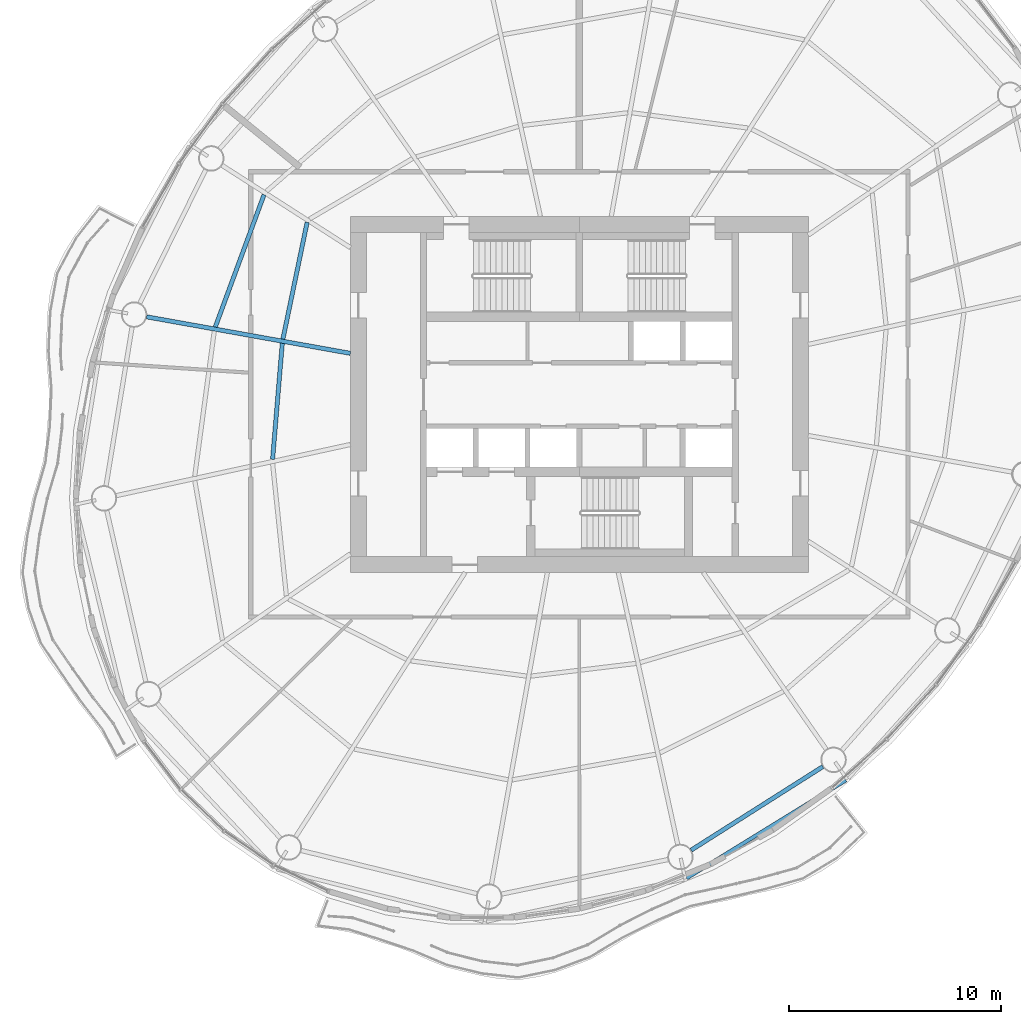
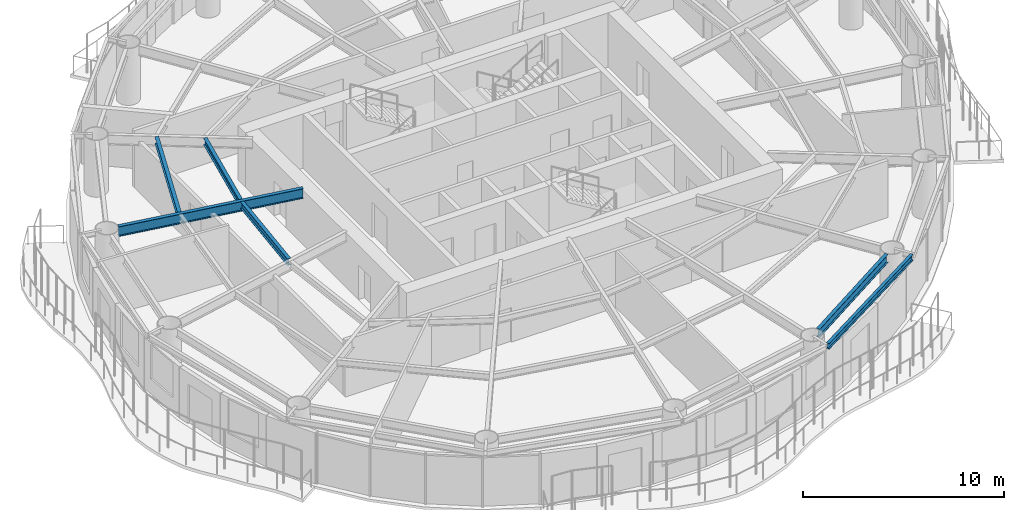
# One storey, part 3 of 14: 6 beams.
"""IFC4 building model written with IfcOpenShell, lengths in metres."""

from ifc_helpers import new_model, si_unit, direction, frame, origin, origin_2d, place, context, subcontext, project, spatial, i_section, extrude, material, material_profile, profile_set, type_object, element, save


model = new_model("IFC4")

# Units and contexts
model_context = context("Model", 3, precision=1e-05, world=origin(), true_north=direction((0.0, 1.0)))
body_context = subcontext(model_context, "Body", "Model", "MODEL_VIEW")
ifc_project = project(units=[si_unit("LENGTHUNIT", "METRE"), si_unit("AREAUNIT", "SQUARE_METRE"), si_unit("VOLUMEUNIT", "CUBIC_METRE"), si_unit("PLANEANGLEUNIT", "RADIAN"), si_unit("MASSUNIT", "GRAM", prefix="KILO")], contexts=[model_context])

# Site, building, storey
site_placement = place(None, origin())
site = spatial("IfcSite", under=ifc_project, at=site_placement, CompositionType="ELEMENT")
building_placement = place(site_placement, origin())
building = spatial("IfcBuilding", under=site, at=building_placement, Name="Vermilion Reach Broadcast Tower", CompositionType="ELEMENT")
storey_placement = place(building_placement, frame((0.0, 0.0, 235.300048828125)))
storey = spatial("IfcBuildingStorey", under=building, at=storey_placement, Name="L58", CompositionType="ELEMENT", Elevation=235.300048828125)

# Beams
ifc_material_1 = material(Name="Steel S355J2", Category="steel")
ifc_material_profile_1 = material_profile(ifc_material_1, i_section(OverallWidth=0.175048828125, OverallDepth=0.35009765625, WebThickness=0.007080078125, FlangeThickness=0.010986328125, at=origin_2d()), Name="S355J2 HN 350x175x7x11")
ifc_profile_set_1 = profile_set([ifc_material_profile_1], Name="Steel S355J2")
beam_type_1 = type_object("IfcBeamType", Name="EB4 HN 350x175x7x11", PredefinedType="BEAM", material=ifc_profile_set_1)
beam_1_placement = place(storey_placement, frame((-0.935302734375, -22.81982421875, 3.27490234375), z_axis=(0.851691598199, 0.524043339388, 0.0), x_axis=(-0.524043339388, 0.851691598199, 0.0)))
element("IfcBeam", 1, at=beam_1_placement, inside=storey, type_object=beam_type_1, Name="Edge beam EB4-11", PredefinedType="BEAM", context=body_context, shape_type="SweptSolid", body=[
    extrude(i_section(OverallWidth=0.175048828125, OverallDepth=0.35009765625, WebThickness=0.007080078125, FlangeThickness=0.010986328125, at=origin_2d()), origin(), (0.0, 0.0, 1.0), 8.81494140625),
])
ifc_material_2 = material(Name="Steel S355J2", Category="steel")
ifc_material_profile_2 = material_profile(ifc_material_2, i_section(OverallWidth=0.199951171875, OverallDepth=0.60009765625, WebThickness=0.010986328125, FlangeThickness=0.01708984375, at=origin_2d()), Name="S355J2 HN 600x200x11x17")
ifc_profile_set_2 = profile_set([ifc_material_profile_2], Name="Steel S355J2")
beam_type_2 = type_object("IfcBeamType", Name="G4 HN 600x200x11x17", PredefinedType="BEAM", material=ifc_profile_set_2)
beam_2_placement = place(storey_placement, frame((-16.800048828125, 1.9375, 3.14990234375), z_axis=(-0.984291153273, 0.176552897422, 0.0), x_axis=(-0.176552897422, -0.984291153273, 0.0)))
element("IfcBeam", 2, at=beam_2_placement, inside=storey, type_object=beam_type_2, Name="Girder G4-06", PredefinedType="BEAM", context=body_context, shape_type="SweptSolid", body=[
    extrude(i_section(OverallWidth=0.199951171875, OverallDepth=0.60009765625, WebThickness=0.010986328125, FlangeThickness=0.01708984375, at=origin_2d()), origin(), (0.0, 0.0, 1.0), 9.765380859375),
])
ifc_material_3 = material(Name="Steel S355J2", Category="steel")
ifc_material_profile_3 = material_profile(ifc_material_3, i_section(OverallWidth=0.199951171875, OverallDepth=0.5, WebThickness=0.010009765625, FlangeThickness=0.01611328125, at=origin_2d()), Name="S355J2 HN 500x200x10x16")
ifc_profile_set_3 = profile_set([ifc_material_profile_3], Name="Steel S355J2")
beam_type_3 = type_object("IfcBeamType", Name="RB4 HN 500x200x10x16", PredefinedType="BEAM", material=ifc_profile_set_3)
beam_3_placement = place(storey_placement, frame((-0.72412109375, -21.497314453125, 3.199951171875), z_axis=(0.84446426774, 0.535611893549, 0.0), x_axis=(-0.535611893549, 0.84446426774, 0.0)))
element("IfcBeam", 3, at=beam_3_placement, inside=storey, type_object=beam_type_3, Name="Ring beam RB4-11", PredefinedType="BEAM", context=body_context, shape_type="SweptSolid", body=[
    extrude(i_section(OverallWidth=0.199951171875, OverallDepth=0.5, WebThickness=0.010009765625, FlangeThickness=0.01611328125, at=origin_2d()), origin(), (0.0, 0.0, 1.0), 7.3544921875),
])
ifc_material_4 = material(Name="Steel S355J2", Category="steel")
ifc_material_profile_4 = material_profile(ifc_material_4, i_section(OverallWidth=0.199951171875, OverallDepth=0.39990234375, WebThickness=0.008056640625, FlangeThickness=0.012939453125, at=origin_2d()), Name="S355J2 HN 400x200x8x13")
ifc_profile_set_4 = profile_set([ifc_material_profile_4], Name="Steel S355J2")
beam_type_4 = type_object("IfcBeamType", Name="SB4 HN 400x200x8x13", PredefinedType="BEAM", material=ifc_profile_set_4)
beam_4_placement = place(storey_placement, frame((-18.841064453125, 8.115478515625, 3.25), z_axis=(-0.20320860258, -0.979135467562, 0.0), x_axis=(0.979135467562, -0.20320860258, 0.0)))
element("IfcBeam", 4, at=beam_4_placement, inside=storey, type_object=beam_type_4, Name="Secondary beam SB4-05-1", PredefinedType="BEAM", context=body_context, shape_type="SweptSolid", body=[
    extrude(i_section(OverallWidth=0.199951171875, OverallDepth=0.39990234375, WebThickness=0.008056640625, FlangeThickness=0.012939453125, at=origin_2d()), origin(), (0.0, 0.0, 1.0), 5.622802734375),
])
beam_5_placement = place(storey_placement, frame((-20.8740234375, 9.419189453125, 3.25), z_axis=(-0.345833008621, -0.938296078084, 0.0), x_axis=(0.938296078084, -0.345833008621, 0.0)))
element("IfcBeam", 5, at=beam_5_placement, inside=storey, type_object=beam_type_4, Name="Secondary beam SB4-05-2", PredefinedType="BEAM", context=body_context, shape_type="SweptSolid", body=[
    extrude(i_section(OverallWidth=0.199951171875, OverallDepth=0.39990234375, WebThickness=0.008056640625, FlangeThickness=0.012939453125, at=origin_2d()), origin(), (0.0, 0.0, 1.0), 6.647216796875),
])
beam_6_placement = place(storey_placement, frame((-20.012451171875, 2.412109375, 3.25), z_axis=(-0.08339866655, -0.996516262997, 0.0), x_axis=(0.996516262997, -0.08339866655, 0.0)))
element("IfcBeam", 6, at=beam_6_placement, inside=storey, type_object=beam_type_4, Name="Secondary beam SB4-06-1", PredefinedType="BEAM", context=body_context, shape_type="SweptSolid", body=[
    extrude(i_section(OverallWidth=0.199951171875, OverallDepth=0.39990234375, WebThickness=0.008056640625, FlangeThickness=0.012939453125, at=origin_2d()), origin(), (0.0, 0.0, 1.0), 5.49169921875),
])

save(model, "model.ifc")
